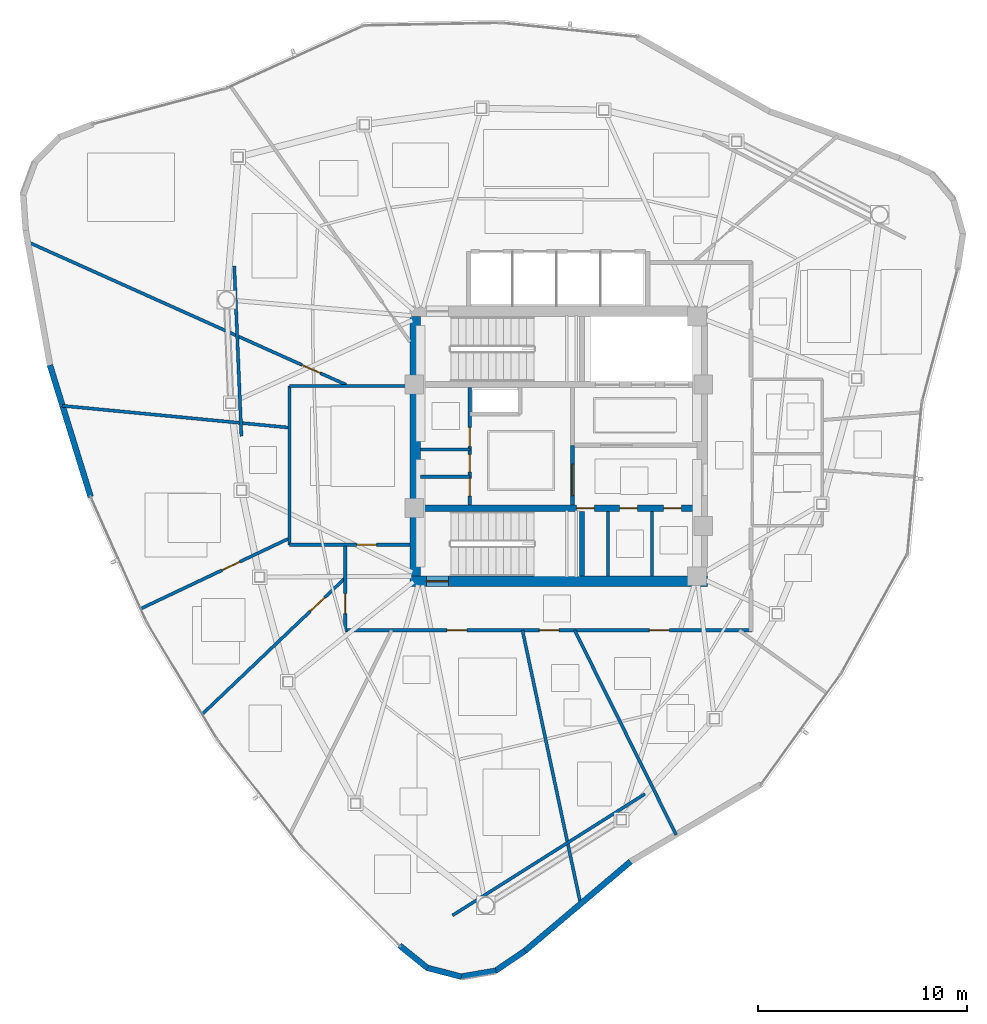
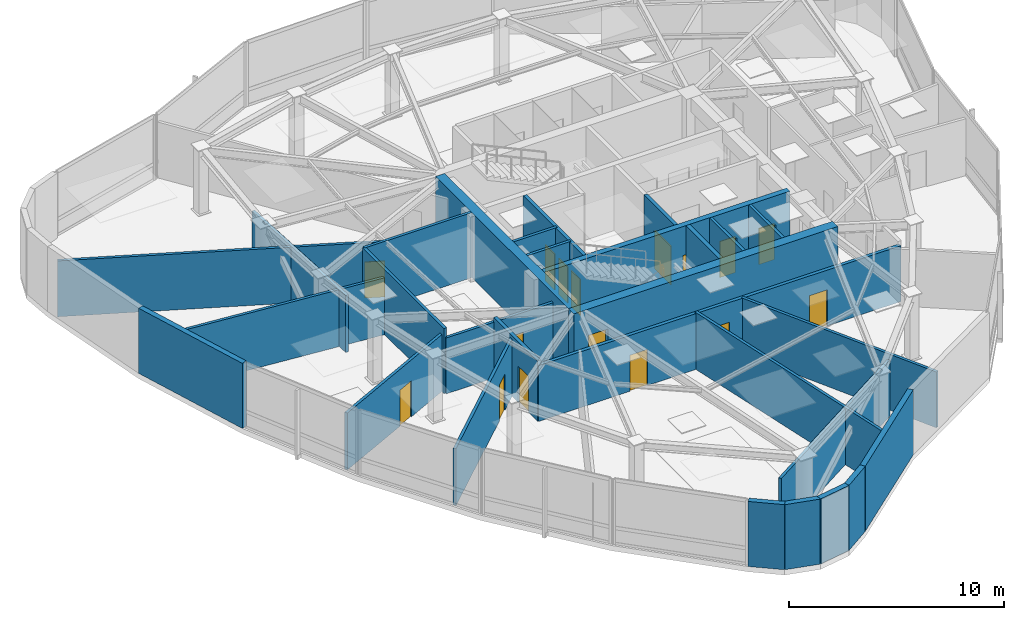
# One storey, part 8 of 12: 29 walls, 16 doors, 16 openings.
"""IFC4 building model written with IfcOpenShell, lengths in metres."""

from ifc_helpers import new_model, si_unit, direction, frame, frame_2d, origin, place, context, subcontext, project, spatial, rectangle, extrude, material, layer, layer_set, type_object, element, fill, save


model = new_model("IFC4")

# Units and contexts
model_context = context("Model", 3, precision=1e-05, world=origin(), true_north=direction((0.0, 1.0)))
body_context = subcontext(model_context, "Body", "Model", "MODEL_VIEW")
ifc_project = project(units=[si_unit("LENGTHUNIT", "METRE"), si_unit("AREAUNIT", "SQUARE_METRE"), si_unit("VOLUMEUNIT", "CUBIC_METRE"), si_unit("PLANEANGLEUNIT", "RADIAN"), si_unit("MASSUNIT", "GRAM", prefix="KILO")], contexts=[model_context])

# Site, building, storey
site_placement = place(None, origin())
site = spatial("IfcSite", under=ifc_project, at=site_placement, CompositionType="ELEMENT")
building_placement = place(site_placement, origin())
building = spatial("IfcBuilding", under=site, at=building_placement, Name="Tavelor Broadcast Tower", CompositionType="ELEMENT")
storey_placement = place(building_placement, frame((0.0, 0.0, 285.5)))
storey = spatial("IfcBuildingStorey", under=building, at=storey_placement, Name="L68", CompositionType="ELEMENT", Elevation=285.5)

# Wall, opening, door
ifc_material_1 = material(Name="Concrete C50/60", Category="concrete")
ifc_layer_1 = layer(ifc_material_1, 0.5)
ifc_layer_set_1 = layer_set([ifc_layer_1], Name="Concrete C50/60")
wall_type_1 = type_object("IfcWallType", Name="Core Shear Wall 500 mm", PredefinedType="SHEAR", material=ifc_layer_set_1)
wall_1_placement = place(storey_placement, frame((42.89990234375, 38.550048828125, 0.0), z_axis=(0.0, 0.0, 1.0), x_axis=(1.0, 0.0, 0.0)))
wall_1 = element("IfcWall", 1, at=wall_1_placement, inside=storey, type_object=wall_type_1, Name="L68 Central Core Shear Wall S", PredefinedType="SHEAR", context=body_context, shape_type="SweptSolid", body=[
    extrude(rectangle(XDim=14.2001953125, YDim=0.5, at=frame_2d((7.10009765625, 0.0))), origin(), (0.0, 0.0, 1.0), 3.699951171875),
])
opening_1_placement = place(wall_1_placement, frame((0.780029296875, 0.0, 0.0)))
opening_1 = element("IfcOpeningElement", 2, at=opening_1_placement, cuts=wall_1, Name="Opening DR11", PredefinedType="OPENING", context=body_context, shape_type="SweptSolid", body=[
    extrude(rectangle(XDim=1.050048828125, YDim=2.199951171875, at=frame_2d((0.52490234375, 1.10009765625))), frame((0.0, 0.260009765625, 0.0), z_axis=(0.0, -1.0, 0.0), x_axis=(1.0, 0.0, 0.0)), (0.0, 0.0, 1.0), 0.52001953125),
])
ifc_material_2 = material(Name="Steel S355", Category="steel")
door_type_1 = type_object("IfcDoorType", Name="Stair Core Fire Escape Door 1050x2200", OperationType="NOTDEFINED", PredefinedType="DOOR", material=ifc_material_2)
door_1_placement = place(opening_1_placement, origin())
door_1 = element("IfcDoor", 3, at=door_1_placement, inside=storey, type_object=door_type_1, Name="L68 Stair ST2 Protected Exit Door", OperationType="SINGLE_SWING_RIGHT", OverallHeight=2.199951171875, OverallWidth=1.050048828125, PredefinedType="DOOR", context=body_context, shape_type="SweptSolid", body=[
    extrude(rectangle(XDim=1.050048828125, YDim=2.199951171875, at=frame_2d((0.52490234375, 1.10009765625))), frame((0.0, 0.02490234375, 0.0), z_axis=(0.0, -1.0, 0.0), x_axis=(1.0, 0.0, 0.0)), (0.0, 0.0, 1.0), 0.050048828125),
])
fill(opening_1, door_1)

# Wall
wall_2_placement = place(storey_placement, frame((43.14990234375, 38.800048828125, 0.0), z_axis=(0.0, 0.0, 1.0), x_axis=(0.0, 1.0, 0.0)))
element("IfcWall", 4, at=wall_2_placement, inside=storey, type_object=wall_type_1, Name="L68 Central Core Shear Wall W", PredefinedType="SHEAR", context=body_context, shape_type="SweptSolid", body=[
    extrude(rectangle(XDim=12.39990234375, YDim=0.5, at=frame_2d((6.199951171875, 0.0))), origin(), (0.0, 0.0, 1.0), 3.699951171875),
])

# Wall, openings, doors
ifc_layer_2 = layer(ifc_material_1, 0.300048828125)
ifc_layer_set_2 = layer_set([ifc_layer_2], Name="Concrete C50/60")
wall_type_2 = type_object("IfcWallType", Name="Core Spine Shear Wall 300 mm C50", PredefinedType="SHEAR", material=ifc_layer_set_2)
wall_3_placement = place(storey_placement, frame((43.39990234375, 42.050048828125, 0.0), z_axis=(0.0, 0.0, 1.0), x_axis=(1.0, 0.0, 0.0)))
wall_3 = element("IfcWall", 5, at=wall_3_placement, inside=storey, type_object=wall_type_2, Name="L68 Central Core Shear Wall SP2", PredefinedType="SHEAR", context=body_context, shape_type="SweptSolid", body=[
    extrude(rectangle(XDim=13.2001953125, YDim=0.300048828125, at=frame_2d((6.60009765625, 0.0))), origin(), (0.0, 0.0, 1.0), 3.699951171875),
])
opening_2_placement = place(wall_3_placement, frame((7.449951171875, 0.0, 0.0)))
opening_2 = element("IfcOpeningElement", 6, at=opening_2_placement, cuts=wall_3, Name="Opening DR36", PredefinedType="OPENING", context=body_context, shape_type="SweptSolid", body=[
    extrude(rectangle(XDim=0.85009765625, YDim=2.050048828125, at=frame_2d((0.425048828125, 1.02490234375))), frame((0.0, 0.16015625, 0.0), z_axis=(0.0, -1.0, 0.0), x_axis=(1.0, 0.0, 0.0)), (0.0, 0.0, 1.0), 0.320068359375),
])
opening_3_placement = place(wall_3_placement, frame((9.5, 0.0, 0.0)))
opening_3 = element("IfcOpeningElement", 7, at=opening_3_placement, cuts=wall_3, Name="Opening DR36", PredefinedType="OPENING", context=body_context, shape_type="SweptSolid", body=[
    extrude(rectangle(XDim=0.85009765625, YDim=2.050048828125, at=frame_2d((0.425048828125, 1.02490234375))), frame((0.0, 0.16015625, 0.0), z_axis=(0.0, -1.0, 0.0), x_axis=(1.0, 0.0, 0.0)), (0.0, 0.0, 1.0), 0.320068359375),
])
opening_4_placement = place(wall_3_placement, frame((11.60009765625, 0.0, 0.0)))
opening_4 = element("IfcOpeningElement", 8, at=opening_4_placement, cuts=wall_3, Name="Opening DR36", PredefinedType="OPENING", context=body_context, shape_type="SweptSolid", body=[
    extrude(rectangle(XDim=0.85009765625, YDim=2.050048828125, at=frame_2d((0.425048828125, 1.02490234375))), frame((0.0, 0.16015625, 0.0), z_axis=(0.0, -1.0, 0.0), x_axis=(1.0, 0.0, 0.0)), (0.0, 0.0, 1.0), 0.320068359375),
])
door_type_2 = type_object("IfcDoorType", Name="Service Room Fire Door 850x2050", OperationType="NOTDEFINED", PredefinedType="DOOR", material=ifc_material_2)
door_2_placement = place(opening_2_placement, origin())
door_2 = element("IfcDoor", 9, at=door_2_placement, inside=storey, type_object=door_type_2, Name="L68 Reclaimed South Core Pod 1 Door", OperationType="SINGLE_SWING_LEFT", OverallHeight=2.050048828125, OverallWidth=0.85009765625, PredefinedType="DOOR", context=body_context, shape_type="SweptSolid", body=[
    extrude(rectangle(XDim=0.85009765625, YDim=2.050048828125, at=frame_2d((0.425048828125, 1.02490234375))), frame((0.0, 0.02490234375, 0.0), z_axis=(0.0, -1.0, 0.0), x_axis=(1.0, 0.0, 0.0)), (0.0, 0.0, 1.0), 0.050048828125),
])
fill(opening_2, door_2)
door_3_placement = place(opening_3_placement, origin())
door_3 = element("IfcDoor", 10, at=door_3_placement, inside=storey, type_object=door_type_2, Name="L68 Reclaimed South Core Pod 2 Door", OperationType="SINGLE_SWING_RIGHT", OverallHeight=2.050048828125, OverallWidth=0.85009765625, PredefinedType="DOOR", context=body_context, shape_type="SweptSolid", body=[
    extrude(rectangle(XDim=0.85009765625, YDim=2.050048828125, at=frame_2d((0.425048828125, 1.02490234375))), frame((0.0, 0.02490234375, 0.0), z_axis=(0.0, -1.0, 0.0), x_axis=(1.0, 0.0, 0.0)), (0.0, 0.0, 1.0), 0.050048828125),
])
fill(opening_3, door_3)
door_4_placement = place(opening_4_placement, origin())
door_4 = element("IfcDoor", 11, at=door_4_placement, inside=storey, type_object=door_type_2, Name="L68 Reclaimed South Core Pod 3 Door", OperationType="SINGLE_SWING_LEFT", OverallHeight=2.050048828125, OverallWidth=0.85009765625, PredefinedType="DOOR", context=body_context, shape_type="SweptSolid", body=[
    extrude(rectangle(XDim=0.85009765625, YDim=2.050048828125, at=frame_2d((0.425048828125, 1.02490234375))), frame((0.0, 0.02490234375, 0.0), z_axis=(0.0, -1.0, 0.0), x_axis=(1.0, 0.0, 0.0)), (0.0, 0.0, 1.0), 0.050048828125),
])
fill(opening_4, door_4)

# Wall, opening, door
ifc_material_3 = material(Name="Calcium Silicate Fire Board 180 mm", Category="gypsum")
ifc_layer_3 = layer(ifc_material_3, 0.179931640625)
ifc_layer_set_3 = layer_set([ifc_layer_3], Name="Calcium Silicate Fire Board 180 mm")
wall_type_3 = type_object("IfcWallType", Name="Fire-Rated Corridor Partition Wall 180 mm", PredefinedType="PARTITIONING", material=ifc_layer_set_3)
wall_4_placement = place(storey_placement, frame((50.64990234375, 42.199951171875, 0.0), z_axis=(0.0, 0.0, 1.0), x_axis=(0.0, 1.0, 0.0)))
wall_4 = element("IfcWall", 12, at=wall_4_placement, inside=storey, type_object=wall_type_3, Name="L68 Core Lobby Zoning Wall", PredefinedType="PARTITIONING", context=body_context, shape_type="SweptSolid", body=[
    extrude(rectangle(XDim=2.85009765625, YDim=0.179931640625, at=frame_2d((1.425048828125, 0.0))), origin(), (0.0, 0.0, 1.0), 3.699951171875),
])
opening_5_placement = place(wall_4_placement, frame((0.449951171875, 0.0, 0.0)))
opening_5 = element("IfcOpeningElement", 13, at=opening_5_placement, cuts=wall_4, Name="Opening DR14", PredefinedType="OPENING", context=body_context, shape_type="SweptSolid", body=[
    extrude(rectangle(XDim=1.5, YDim=2.199951171875, at=frame_2d((0.75, 1.10009765625))), frame((0.0, 0.10009765625, 0.0), z_axis=(0.0, -1.0, 0.0), x_axis=(1.0, 0.0, 0.0)), (0.0, 0.0, 1.0), 0.199951171875),
])
door_type_3 = type_object("IfcDoorType", Name="Firefighting Lobby Double Fire Door 1500x2200", OperationType="NOTDEFINED", PredefinedType="DOOR", material=ifc_material_2)
door_5_placement = place(opening_5_placement, origin())
door_5 = element("IfcDoor", 14, at=door_5_placement, inside=storey, type_object=door_type_3, Name="L68 Core West Lobby Double Fire Door", OperationType="SINGLE_SWING_RIGHT", OverallHeight=2.199951171875, OverallWidth=1.5, PredefinedType="DOOR", context=body_context, shape_type="SweptSolid", body=[
    extrude(rectangle(XDim=1.5, YDim=2.199951171875, at=frame_2d((0.75, 1.10009765625))), frame((0.0, 0.02490234375, 0.0), z_axis=(0.0, -1.0, 0.0), x_axis=(1.0, 0.0, 0.0)), (0.0, 0.0, 1.0), 0.050048828125),
])
fill(opening_5, door_5)

# Wall, openings, doors
wall_5_placement = place(storey_placement, frame((45.75, 42.199951171875, 0.0), z_axis=(0.0, 0.0, 1.0), x_axis=(0.0, 1.0, 0.0)))
wall_5 = element("IfcWall", 15, at=wall_5_placement, inside=storey, type_object=wall_type_3, Name="L68 Core West Service East Wall", PredefinedType="PARTITIONING", context=body_context, shape_type="SweptSolid", body=[
    extrude(rectangle(XDim=5.60009765625, YDim=0.179931640625, at=frame_2d((2.800048828125, 0.0))), origin(), (0.0, 0.0, 1.0), 3.699951171875),
])
opening_6_placement = place(wall_5_placement, frame((0.419921875, 0.0, 0.0)))
opening_6 = element("IfcOpeningElement", 16, at=opening_6_placement, cuts=wall_5, Name="Opening DR36", PredefinedType="OPENING", context=body_context, shape_type="SweptSolid", body=[
    extrude(rectangle(XDim=0.85009765625, YDim=2.050048828125, at=frame_2d((0.425048828125, 1.02490234375))), frame((0.0, 0.10009765625, 0.0), z_axis=(0.0, -1.0, 0.0), x_axis=(1.0, 0.0, 0.0)), (0.0, 0.0, 1.0), 0.199951171875),
])
opening_7_placement = place(wall_5_placement, frame((1.570068359375, 0.0, 0.0)))
opening_7 = element("IfcOpeningElement", 17, at=opening_7_placement, cuts=wall_5, Name="Opening DR36", PredefinedType="OPENING", context=body_context, shape_type="SweptSolid", body=[
    extrude(rectangle(XDim=0.85009765625, YDim=2.050048828125, at=frame_2d((0.425048828125, 1.02490234375))), frame((0.0, 0.10009765625, 0.0), z_axis=(0.0, -1.0, 0.0), x_axis=(1.0, 0.0, 0.0)), (0.0, 0.0, 1.0), 0.199951171875),
])
opening_8_placement = place(wall_5_placement, frame((2.800048828125, 0.0, 0.0)))
opening_8 = element("IfcOpeningElement", 18, at=opening_8_placement, cuts=wall_5, Name="Opening DR32", PredefinedType="OPENING", context=body_context, shape_type="SweptSolid", body=[
    extrude(rectangle(XDim=0.89990234375, YDim=2.050048828125, at=frame_2d((0.449951171875, 1.02490234375))), frame((0.0, 0.10009765625, 0.0), z_axis=(0.0, -1.0, 0.0), x_axis=(1.0, 0.0, 0.0)), (0.0, 0.0, 1.0), 0.199951171875),
])
ifc_material_4 = material(Name="Timber Solid Core Hardwood", Category="wood")
door_type_4 = type_object("IfcDoorType", Name="Accessible Washroom Door 900x2050", OperationType="NOTDEFINED", PredefinedType="DOOR", material=ifc_material_4)
door_6_placement = place(opening_8_placement, origin())
door_6 = element("IfcDoor", 19, at=door_6_placement, inside=storey, type_object=door_type_4, Name="L68 Core Accessible WC Door", OperationType="SINGLE_SWING_LEFT", OverallHeight=2.050048828125, OverallWidth=0.89990234375, PredefinedType="DOOR", context=body_context, shape_type="SweptSolid", body=[
    extrude(rectangle(XDim=0.89990234375, YDim=2.050048828125, at=frame_2d((0.449951171875, 1.02490234375))), frame((0.0, 0.02490234375, 0.0), z_axis=(0.0, -1.0, 0.0), x_axis=(1.0, 0.0, 0.0)), (0.0, 0.0, 1.0), 0.050048828125),
])
fill(opening_8, door_6)
door_7_placement = place(opening_6_placement, origin())
door_7 = element("IfcDoor", 20, at=door_7_placement, inside=storey, type_object=door_type_2, Name="L68 Core Medical Room Door", OperationType="SINGLE_SWING_LEFT", OverallHeight=2.050048828125, OverallWidth=0.85009765625, PredefinedType="DOOR", context=body_context, shape_type="SweptSolid", body=[
    extrude(rectangle(XDim=0.85009765625, YDim=2.050048828125, at=frame_2d((0.425048828125, 1.02490234375))), frame((0.0, 0.02490234375, 0.0), z_axis=(0.0, -1.0, 0.0), x_axis=(1.0, 0.0, 0.0)), (0.0, 0.0, 1.0), 0.050048828125),
])
fill(opening_6, door_7)
door_8_placement = place(opening_7_placement, origin())
door_8 = element("IfcDoor", 21, at=door_8_placement, inside=storey, type_object=door_type_2, Name="L68 Core Copy Room Door", OperationType="SINGLE_SWING_RIGHT", OverallHeight=2.050048828125, OverallWidth=0.85009765625, PredefinedType="DOOR", context=body_context, shape_type="SweptSolid", body=[
    extrude(rectangle(XDim=0.85009765625, YDim=2.050048828125, at=frame_2d((0.425048828125, 1.02490234375))), frame((0.0, 0.02490234375, 0.0), z_axis=(0.0, -1.0, 0.0), x_axis=(1.0, 0.0, 0.0)), (0.0, 0.0, 1.0), 0.050048828125),
])
fill(opening_7, door_8)

wall_6_placement = place(storey_placement, frame((59.22998046875, 36.219970703125, 0.0), z_axis=(0.0, 0.0, 1.0), x_axis=(-1.0, 0.0, 0.0)))
wall_6 = element("IfcWall", 22, at=wall_6_placement, inside=storey, type_object=wall_type_3, Name="L68 Corridor Compartment Wall 04", PredefinedType="PARTITIONING", context=body_context, shape_type="SweptSolid", body=[
    extrude(rectangle(XDim=19.47998046875, YDim=0.179931640625, at=frame_2d((9.739990234375, 0.0))), origin(), (0.0, 0.0, 1.0), 3.175048828125),
])
opening_9_placement = place(wall_6_placement, frame((3.954833984375, 0.0, 0.0)))
opening_9 = element("IfcOpeningElement", 23, at=opening_9_placement, cuts=wall_6, Name="Opening DR18", PredefinedType="OPENING", context=body_context, shape_type="SweptSolid", body=[
    extrude(rectangle(XDim=0.949951171875, YDim=2.050048828125, at=frame_2d((0.47509765625, 1.02490234375))), frame((0.0, 0.10009765625, 0.0), z_axis=(0.0, -1.0, 0.0), x_axis=(1.0, 0.0, 0.0)), (0.0, 0.0, 1.0), 0.199951171875),
])
opening_10_placement = place(wall_6_placement, frame((9.210205078125, 0.0, 0.0)))
opening_10 = element("IfcOpeningElement", 24, at=opening_10_placement, cuts=wall_6, Name="Opening DR18", PredefinedType="OPENING", context=body_context, shape_type="SweptSolid", body=[
    extrude(rectangle(XDim=0.949951171875, YDim=2.050048828125, at=frame_2d((0.47509765625, 1.02490234375))), frame((0.0, 0.10009765625, 0.0), z_axis=(0.0, -1.0, 0.0), x_axis=(1.0, 0.0, 0.0)), (0.0, 0.0, 1.0), 0.199951171875),
])
opening_11_placement = place(wall_6_placement, frame((13.622314453125, 0.0, 0.0)))
opening_11 = element("IfcOpeningElement", 25, at=opening_11_placement, cuts=wall_6, Name="Opening DR18", PredefinedType="OPENING", context=body_context, shape_type="SweptSolid", body=[
    extrude(rectangle(XDim=0.949951171875, YDim=2.050048828125, at=frame_2d((0.47509765625, 1.02490234375))), frame((0.0, 0.10009765625, 0.0), z_axis=(0.0, -1.0, 0.0), x_axis=(1.0, 0.0, 0.0)), (0.0, 0.0, 1.0), 0.199951171875),
])
door_type_5 = type_object("IfcDoorType", Name="Corridor Rated Compartment Door 950x2050", OperationType="NOTDEFINED", PredefinedType="DOOR", material=ifc_material_4)
door_9_placement = place(opening_9_placement, origin())
door_9 = element("IfcDoor", 26, at=door_9_placement, inside=storey, type_object=door_type_5, Name="L68 Investigative News Desk Door R1", OperationType="SINGLE_SWING_RIGHT", OverallHeight=2.050048828125, OverallWidth=0.949951171875, PredefinedType="DOOR", context=body_context, shape_type="SweptSolid", body=[
    extrude(rectangle(XDim=0.949951171875, YDim=2.050048828125, at=frame_2d((0.47509765625, 1.02490234375))), frame((0.0, 0.02490234375, 0.0), z_axis=(0.0, -1.0, 0.0), x_axis=(1.0, 0.0, 0.0)), (0.0, 0.0, 1.0), 0.050048828125),
])
fill(opening_9, door_9)
door_10_placement = place(opening_10_placement, origin())
door_10 = element("IfcDoor", 27, at=door_10_placement, inside=storey, type_object=door_type_5, Name="L68 Syndication Legal Office Door R2", OperationType="SINGLE_SWING_LEFT", OverallHeight=2.050048828125, OverallWidth=0.949951171875, PredefinedType="DOOR", context=body_context, shape_type="SweptSolid", body=[
    extrude(rectangle(XDim=0.949951171875, YDim=2.050048828125, at=frame_2d((0.47509765625, 1.02490234375))), frame((0.0, 0.02490234375, 0.0), z_axis=(0.0, -1.0, 0.0), x_axis=(1.0, 0.0, 0.0)), (0.0, 0.0, 1.0), 0.050048828125),
])
fill(opening_10, door_10)
door_11_placement = place(opening_11_placement, origin())
door_11 = element("IfcDoor", 28, at=door_11_placement, inside=storey, type_object=door_type_5, Name="L68 International Bureau Office Door R3", OperationType="SINGLE_SWING_RIGHT", OverallHeight=2.050048828125, OverallWidth=0.949951171875, PredefinedType="DOOR", context=body_context, shape_type="SweptSolid", body=[
    extrude(rectangle(XDim=0.949951171875, YDim=2.050048828125, at=frame_2d((0.47509765625, 1.02490234375))), frame((0.0, 0.02490234375, 0.0), z_axis=(0.0, -1.0, 0.0), x_axis=(1.0, 0.0, 0.0)), (0.0, 0.0, 1.0), 0.050048828125),
])
fill(opening_11, door_11)

# Wall, opening, door
wall_7_placement = place(storey_placement, frame((39.800048828125, 36.169921875, 0.0), z_axis=(0.0, 0.0, 1.0), x_axis=(0.0, 1.0, 0.0)))
wall_7 = element("IfcWall", 29, at=wall_7_placement, inside=storey, type_object=wall_type_3, Name="L68 Corridor Compartment Wall 05", PredefinedType="PARTITIONING", context=body_context, shape_type="SweptSolid", body=[
    extrude(rectangle(XDim=4.080078125, YDim=0.179931640625, at=frame_2d((2.0400390625, 0.0))), origin(), (0.0, 0.0, 1.0), 3.43505859375),
])
opening_12_placement = place(wall_7_placement, frame((0.845458984375, 0.0, 0.0)))
opening_12 = element("IfcOpeningElement", 30, at=opening_12_placement, cuts=wall_7, Name="Opening DR18", PredefinedType="OPENING", context=body_context, shape_type="SweptSolid", body=[
    extrude(rectangle(XDim=0.949951171875, YDim=2.050048828125, at=frame_2d((0.47509765625, 1.02490234375))), frame((0.0, 0.10009765625, 0.0), z_axis=(0.0, -1.0, 0.0), x_axis=(1.0, 0.0, 0.0)), (0.0, 0.0, 1.0), 0.199951171875),
])
door_12_placement = place(opening_12_placement, origin())
door_12 = element("IfcDoor", 31, at=door_12_placement, inside=storey, type_object=door_type_5, Name="L68 Documentary Planning Office Door R4", OperationType="SINGLE_SWING_LEFT", OverallHeight=2.050048828125, OverallWidth=0.949951171875, PredefinedType="DOOR", context=body_context, shape_type="SweptSolid", body=[
    extrude(rectangle(XDim=0.949951171875, YDim=2.050048828125, at=frame_2d((0.47509765625, 1.02490234375))), frame((0.0, 0.02490234375, 0.0), z_axis=(0.0, -1.0, 0.0), x_axis=(1.0, 0.0, 0.0)), (0.0, 0.0, 1.0), 0.050048828125),
])
fill(opening_12, door_12)

# Walls
ifc_material_5 = material(Name="Precast Concrete C40/50", Category="concrete")
ifc_layer_4 = layer(ifc_material_5, 0.280029296875)
ifc_layer_set_4 = layer_set([ifc_layer_4], Name="Precast Concrete C40/50")
wall_type_4 = type_object("IfcWallType", Name="Insulated Precast Terracotta Facade Wall 280 mm", PredefinedType="STANDARD", material=ifc_layer_set_4)
wall_8_placement = place(storey_placement, frame((25.7060546875, 48.878173828125, 0.0), z_axis=(0.0, 0.0, 1.0), x_axis=(0.295281654046, -0.955410249466, 0.0)))
element("IfcWall", 32, at=wall_8_placement, inside=storey, type_object=wall_type_4, Name="L68 Rounded Corner Structural Cladding Pier 06", PredefinedType="STANDARD", context=body_context, shape_type="SweptSolid", body=[
    extrude(rectangle(XDim=6.583740234375, YDim=0.280029296875, at=frame_2d((3.2919921875, 0.0))), origin(), (0.0, 0.0, 1.0), 3.699951171875),
])
wall_9_placement = place(storey_placement, frame((42.40283203125, 21.163330078125, 0.0), z_axis=(0.0, 0.0, 1.0), x_axis=(0.778817818062, -0.627250194316, 0.0)))
element("IfcWall", 33, at=wall_9_placement, inside=storey, type_object=wall_type_4, Name="L68 Rounded Corner Structural Cladding Pier 11", PredefinedType="STANDARD", context=body_context, shape_type="SweptSolid", body=[
    extrude(rectangle(XDim=1.710693359375, YDim=0.280029296875, at=frame_2d((0.85546875, 0.0))), origin(), (0.0, 0.0, 1.0), 3.699951171875),
])
wall_10_placement = place(storey_placement, frame((43.708740234375, 20.103515625, 0.0), z_axis=(0.0, 0.0, 1.0), x_axis=(0.967939985715, -0.251181575865, 0.0)))
element("IfcWall", 34, at=wall_10_placement, inside=storey, type_object=wall_type_4, Name="L68 Rounded Corner Structural Cladding Pier 12", PredefinedType="STANDARD", context=body_context, shape_type="SweptSolid", body=[
    extrude(rectangle(XDim=1.698974609375, YDim=0.280029296875, at=frame_2d((0.849609375, 0.0))), origin(), (0.0, 0.0, 1.0), 3.699951171875),
])
wall_11_placement = place(storey_placement, frame((45.323974609375, 19.677978515625, 0.0), z_axis=(0.0, 0.0, 1.0), x_axis=(0.985546267007, 0.169406480362, 0.0)))
element("IfcWall", 35, at=wall_11_placement, inside=storey, type_object=wall_type_4, Name="L68 Rounded Corner Structural Cladding Pier 13", PredefinedType="STANDARD", context=body_context, shape_type="SweptSolid", body=[
    extrude(rectangle(XDim=1.69921875, YDim=0.280029296875, at=frame_2d((0.849609375, 0.0))), origin(), (0.0, 0.0, 1.0), 3.699951171875),
])
wall_12_placement = place(storey_placement, frame((46.97119140625, 19.954833984375, 0.0), z_axis=(0.0, 0.0, 1.0), x_axis=(0.828587190747, 0.559860042627, 0.0)))
element("IfcWall", 36, at=wall_12_placement, inside=storey, type_object=wall_type_4, Name="L68 Rounded Corner Structural Cladding Pier 14", PredefinedType="STANDARD", context=body_context, shape_type="SweptSolid", body=[
    extrude(rectangle(XDim=1.7216796875, YDim=0.280029296875, at=frame_2d((0.86083984375, 0.0))), origin(), (0.0, 0.0, 1.0), 3.699951171875),
])
wall_13_placement = place(storey_placement, frame((48.373779296875, 20.900634765625, 0.0), z_axis=(0.0, 0.0, 1.0), x_axis=(0.763527637765, 0.645775151558, 0.0)))
element("IfcWall", 37, at=wall_13_placement, inside=storey, type_object=wall_type_4, Name="L68 Rounded Corner Structural Cladding Pier 15", PredefinedType="STANDARD", context=body_context, shape_type="SweptSolid", body=[
    extrude(rectangle(XDim=6.615966796875, YDim=0.280029296875, at=frame_2d((3.30810546875, 0.0))), origin(), (0.0, 0.0, 1.0), 3.699951171875),
])
ifc_material_6 = material(Name="Gypsum Acoustic Plasterboard 150 mm", Category="gypsum")
ifc_layer_5 = layer(ifc_material_6, 0.14990234375)
ifc_layer_set_5 = layer_set([ifc_layer_5], Name="Gypsum Acoustic Plasterboard 150 mm")
wall_type_5 = type_object("IfcWallType", Name="Interior Acoustic Partition Wall 150 mm", PredefinedType="PARTITIONING", material=ifc_layer_set_5)
for number, where, z_axis, x_axis, name in (
    (38, (52.35009765625, 38.800048828125, 0.0), (0.0, 0.0, 1.0), (0.0, 1.0, 0.0), "L68 Reclaimed South Core Divider 1"),
    (39, (54.449951171875, 38.800048828125, 0.0), (0.0, 0.0, 1.0), (0.0, 1.0, 0.0), "L68 Reclaimed South Core Divider 2"),
):
    element("IfcWall", number, at=place(storey_placement, frame(where, z_axis=z_axis, x_axis=x_axis)), inside=storey, type_object=wall_type_5, Name=name, PredefinedType="PARTITIONING", context=body_context, shape_type="SweptSolid", body=[
        extrude(rectangle(XDim=3.099853515625, YDim=0.14990234375, at=frame_2d((1.5498046875, 0.0))), origin(), (0.0, 0.0, 1.0), 3.699951171875),
    ])
for number, where, z_axis, x_axis, name in (
    (40, (43.39990234375, 43.550048828125, 0.0), (0.0, 0.0, 1.0), (1.0, 0.0, 0.0), "L68 Core Split Wall B1"),
    (41, (43.39990234375, 44.85009765625, 0.0), (0.0, 0.0, 1.0), (1.0, 0.0, 0.0), "L68 Core Split Wall B2"),
):
    element("IfcWall", number, at=place(storey_placement, frame(where, z_axis=z_axis, x_axis=x_axis)), inside=storey, type_object=wall_type_5, Name=name, PredefinedType="PARTITIONING", context=body_context, shape_type="SweptSolid", body=[
        extrude(rectangle(XDim=2.35009765625, YDim=0.14990234375, at=frame_2d((1.175048828125, 0.0))), origin(), (0.0, 0.0, 1.0), 3.699951171875),
    ])
wall_14_placement = place(storey_placement, frame((34.50732421875, 53.61279296875, 0.0), z_axis=(0.0, 0.0, 1.0), x_axis=(0.041875090182, -0.999122853718, 0.0)))
element("IfcWall", 42, at=wall_14_placement, inside=storey, type_object=wall_type_5, Name="L68 Corner Tube Brace Furring Wall 1", PredefinedType="PARTITIONING", context=body_context, shape_type="SweptSolid", body=[
    extrude(rectangle(XDim=8.138916015625, YDim=0.14990234375, at=frame_2d((4.0693359375, 0.0))), origin(), (0.0, 0.0, 1.0), 3.235107421875),
])
wall_15_placement = place(storey_placement, frame((44.9267578125, 22.60546875, 0.0), z_axis=(0.0, 0.0, 1.0), x_axis=(0.845624548895, 0.533778158326, 0.0)))
element("IfcWall", 43, at=wall_15_placement, inside=storey, type_object=wall_type_5, Name="L68 Corner Tube Brace Furring Wall 2", PredefinedType="PARTITIONING", context=body_context, shape_type="SweptSolid", body=[
    extrude(rectangle(XDim=10.861083984375, YDim=0.14990234375, at=frame_2d((5.4306640625, 0.0))), origin(), (0.0, 0.0, 1.0), 3.175048828125),
])

# Wall, opening, door
wall_16_placement = place(storey_placement, frame((37.139892578125, 40.300048828125, 0.0), z_axis=(0.0, 0.0, 1.0), x_axis=(1.0, 0.0, 0.0)))
wall_16 = element("IfcWall", 44, at=wall_16_placement, inside=storey, type_object=wall_type_5, Name="L68 Reclaimed Shaft Pantry South Wall", PredefinedType="PARTITIONING", context=body_context, shape_type="SweptSolid", body=[
    extrude(rectangle(XDim=5.760009765625, YDim=0.14990234375, at=frame_2d((2.8798828125, 0.0))), origin(), (0.0, 0.0, 1.0), 3.175048828125),
])
opening_13_placement = place(wall_16_placement, frame((3.2099609375, 0.0, 0.0)))
opening_13 = element("IfcOpeningElement", 45, at=opening_13_placement, cuts=wall_16, Name="Opening DR18", PredefinedType="OPENING", context=body_context, shape_type="SweptSolid", body=[
    extrude(rectangle(XDim=0.949951171875, YDim=2.050048828125, at=frame_2d((0.47509765625, 1.02490234375))), frame((0.0, 0.0849609375, 0.0), z_axis=(0.0, -1.0, 0.0), x_axis=(1.0, 0.0, 0.0)), (0.0, 0.0, 1.0), 0.169921875),
])
door_13_placement = place(opening_13_placement, origin())
door_13 = element("IfcDoor", 46, at=door_13_placement, inside=storey, type_object=door_type_5, Name="L68 Broadcast IT Patch and Pantry Door", OperationType="SINGLE_SWING_LEFT", OverallHeight=2.050048828125, OverallWidth=0.949951171875, PredefinedType="DOOR", context=body_context, shape_type="SweptSolid", body=[
    extrude(rectangle(XDim=0.949951171875, YDim=2.050048828125, at=frame_2d((0.47509765625, 1.02490234375))), frame((0.0, 0.02490234375, 0.0), z_axis=(0.0, -1.0, 0.0), x_axis=(1.0, 0.0, 0.0)), (0.0, 0.0, 1.0), 0.050048828125),
])
fill(opening_13, door_13)

# Walls
wall_17_placement = place(storey_placement, frame((37.139892578125, 40.300048828125, 0.0), z_axis=(0.0, 0.0, 1.0), x_axis=(0.0, 1.0, 0.0)))
element("IfcWall", 47, at=wall_17_placement, inside=storey, type_object=wall_type_5, Name="L68 Reclaimed Shaft Pantry West Wall", PredefinedType="PARTITIONING", context=body_context, shape_type="SweptSolid", body=[
    extrude(rectangle(XDim=7.579833984375, YDim=0.14990234375, at=frame_2d((3.7900390625, 0.0))), origin(), (0.0, 0.0, 1.0), 3.699951171875),
])
wall_18_placement = place(storey_placement, frame((37.139892578125, 47.8798828125, 0.0), z_axis=(0.0, 0.0, 1.0), x_axis=(1.0, 0.0, 0.0)))
element("IfcWall", 48, at=wall_18_placement, inside=storey, type_object=wall_type_5, Name="L68 Reclaimed Shaft Pantry North Wall", PredefinedType="PARTITIONING", context=body_context, shape_type="SweptSolid", body=[
    extrude(rectangle(XDim=5.760009765625, YDim=0.14990234375, at=frame_2d((2.8798828125, 0.0))), origin(), (0.0, 0.0, 1.0), 3.699951171875),
])
wall_19_placement = place(storey_placement, frame((37.080078125, 45.8974609375, 0.0), z_axis=(0.0, 0.0, 1.0), x_axis=(-0.995396799969, 0.095839504443, 0.0)))
element("IfcWall", 49, at=wall_19_placement, inside=storey, type_object=wall_type_5, Name="L68 Radial Compartment Wall 01", PredefinedType="PARTITIONING", context=body_context, shape_type="SweptSolid", body=[
    extrude(rectangle(XDim=10.833984375, YDim=0.14990234375, at=frame_2d((5.4169921875, 0.0))), origin(), (0.0, 0.0, 1.0), 3.235107421875),
])

# Wall, opening, door
wall_20_placement = place(storey_placement, frame((37.080078125, 40.58251953125, 0.0), z_axis=(0.0, 0.0, 1.0), x_axis=(-0.903622418397, -0.428329925372, 0.0)))
wall_20 = element("IfcWall", 50, at=wall_20_placement, inside=storey, type_object=wall_type_5, Name="L68 Radial Compartment Wall 02", PredefinedType="PARTITIONING", context=body_context, shape_type="SweptSolid", body=[
    extrude(rectangle(XDim=7.7978515625, YDim=0.14990234375, at=frame_2d((3.89892578125, 0.0))), origin(), (0.0, 0.0, 1.0), 3.235107421875),
])
opening_14_placement = place(wall_20_placement, frame((2.550048828125, 0.0, 0.0)))
opening_14 = element("IfcOpeningElement", 51, at=opening_14_placement, cuts=wall_20, Name="Opening DR18", PredefinedType="OPENING", context=body_context, shape_type="SweptSolid", body=[
    extrude(rectangle(XDim=0.949951171875, YDim=2.050048828125, at=frame_2d((0.47509765625, 1.02490234375))), frame((0.0, 0.0849609375, 0.0), z_axis=(0.0, -1.0, 0.0), x_axis=(1.0, 0.0, 0.0)), (0.0, 0.0, 1.0), 0.169921875),
])
door_14_placement = place(opening_14_placement, origin())
door_14 = element("IfcDoor", 52, at=door_14_placement, inside=storey, type_object=door_type_5, Name="L68 Suite Connecting Door 6", OperationType="SINGLE_SWING_RIGHT", OverallHeight=2.050048828125, OverallWidth=0.949951171875, PredefinedType="DOOR", context=body_context, shape_type="SweptSolid", body=[
    extrude(rectangle(XDim=0.949951171875, YDim=2.050048828125, at=frame_2d((0.47509765625, 1.02490234375))), frame((0.0, 0.02490234375, 0.0), z_axis=(0.0, -1.0, 0.0), x_axis=(1.0, 0.0, 0.0)), (0.0, 0.0, 1.0), 0.050048828125),
])
fill(opening_14, door_14)

wall_21_placement = place(storey_placement, frame((39.800048828125, 38.711669921875, 0.0), z_axis=(0.0, 0.0, 1.0), x_axis=(-0.723993287643, -0.68980701609, 0.0)))
wall_21 = element("IfcWall", 53, at=wall_21_placement, inside=storey, type_object=wall_type_5, Name="L68 Radial Compartment Wall 03", PredefinedType="PARTITIONING", context=body_context, shape_type="SweptSolid", body=[
    extrude(rectangle(XDim=9.433837890625, YDim=0.14990234375, at=frame_2d((4.716796875, 0.0))), origin(), (0.0, 0.0, 1.0), 3.235107421875),
])
opening_15_placement = place(wall_21_placement, frame((1.35009765625, 0.0, 0.0)))
opening_15 = element("IfcOpeningElement", 54, at=opening_15_placement, cuts=wall_21, Name="Opening DR18", PredefinedType="OPENING", context=body_context, shape_type="SweptSolid", body=[
    extrude(rectangle(XDim=0.949951171875, YDim=2.050048828125, at=frame_2d((0.47509765625, 1.02490234375))), frame((0.0, 0.0849609375, 0.0), z_axis=(0.0, -1.0, 0.0), x_axis=(1.0, 0.0, 0.0)), (0.0, 0.0, 1.0), 0.169921875),
])
door_15_placement = place(opening_15_placement, origin())
door_15 = element("IfcDoor", 55, at=door_15_placement, inside=storey, type_object=door_type_5, Name="L68 Suite Connecting Door 5", OperationType="SINGLE_SWING_LEFT", OverallHeight=2.050048828125, OverallWidth=0.949951171875, PredefinedType="DOOR", context=body_context, shape_type="SweptSolid", body=[
    extrude(rectangle(XDim=0.949951171875, YDim=2.050048828125, at=frame_2d((0.47509765625, 1.02490234375))), frame((0.0, 0.02490234375, 0.0), z_axis=(0.0, -1.0, 0.0), x_axis=(1.0, 0.0, 0.0)), (0.0, 0.0, 1.0), 0.050048828125),
])
fill(opening_15, door_15)

# Walls
wall_22_placement = place(storey_placement, frame((48.26513671875, 36.219970703125, 0.0), z_axis=(0.0, 0.0, 1.0), x_axis=(0.207798682816, -0.978171614503, 0.0)))
element("IfcWall", 56, at=wall_22_placement, inside=storey, type_object=wall_type_5, Name="L68 Radial Compartment Wall 05", PredefinedType="PARTITIONING", context=body_context, shape_type="SweptSolid", body=[
    extrude(rectangle(XDim=13.36669921875, YDim=0.14990234375, at=frame_2d((6.683349609375, 0.0))), origin(), (0.0, 0.0, 1.0), 3.235107421875),
])
wall_23_placement = place(storey_placement, frame((50.756591796875, 36.219970703125, 0.0), z_axis=(0.0, 0.0, 1.0), x_axis=(0.444489566035, -0.895784028483, 0.0)))
element("IfcWall", 57, at=wall_23_placement, inside=storey, type_object=wall_type_5, Name="L68 Radial Compartment Wall 06", PredefinedType="PARTITIONING", context=body_context, shape_type="SweptSolid", body=[
    extrude(rectangle(XDim=10.90673828125, YDim=0.14990234375, at=frame_2d((5.453369140625, 0.0))), origin(), (0.0, 0.0, 1.0), 3.175048828125),
])

# Wall, opening, door
wall_24_placement = place(storey_placement, frame((39.84619140625, 47.93994140625, 0.0), z_axis=(0.0, 0.0, 1.0), x_axis=(-0.912400712577, 0.409298106139, 0.0)))
wall_24 = element("IfcWall", 58, at=wall_24_placement, inside=storey, type_object=wall_type_5, Name="L68 Radial Compartment Wall 12", PredefinedType="PARTITIONING", context=body_context, shape_type="SweptSolid", body=[
    extrude(rectangle(XDim=16.669921875, YDim=0.14990234375, at=frame_2d((8.3349609375, 0.0))), origin(), (0.0, 0.0, 1.0), 3.175048828125),
])
opening_16_placement = place(wall_24_placement, frame((1.35009765625, 0.0, 0.0)))
opening_16 = element("IfcOpeningElement", 59, at=opening_16_placement, cuts=wall_24, Name="Opening DR18", PredefinedType="OPENING", context=body_context, shape_type="SweptSolid", body=[
    extrude(rectangle(XDim=0.949951171875, YDim=2.050048828125, at=frame_2d((0.47509765625, 1.02490234375))), frame((0.0, 0.0849609375, 0.0), z_axis=(0.0, -1.0, 0.0), x_axis=(1.0, 0.0, 0.0)), (0.0, 0.0, 1.0), 0.169921875),
])
door_16_placement = place(opening_16_placement, origin())
door_16 = element("IfcDoor", 60, at=door_16_placement, inside=storey, type_object=door_type_5, Name="L68 Suite Connecting Door 7", OperationType="SINGLE_SWING_LEFT", OverallHeight=2.050048828125, OverallWidth=0.949951171875, PredefinedType="DOOR", context=body_context, shape_type="SweptSolid", body=[
    extrude(rectangle(XDim=0.949951171875, YDim=2.050048828125, at=frame_2d((0.47509765625, 1.02490234375))), frame((0.0, 0.02490234375, 0.0), z_axis=(0.0, -1.0, 0.0), x_axis=(1.0, 0.0, 0.0)), (0.0, 0.0, 1.0), 0.050048828125),
])
fill(opening_16, door_16)

# Wall
ifc_material_7 = material(Name="Concrete C40/50", Category="concrete")
ifc_layer_6 = layer(ifc_material_7, 0.219970703125)
ifc_layer_set_6 = layer_set([ifc_layer_6], Name="Concrete C40/50")
wall_type_6 = type_object("IfcWallType", Name="Structural Stairwell Shear Wall 220 mm", PredefinedType="SHEAR", material=ifc_layer_set_6)
wall_25_placement = place(storey_placement, frame((51.110107421875, 38.800048828125, 0.0), z_axis=(0.0, 0.0, 1.0), x_axis=(0.0, 1.0, 0.0)))
element("IfcWall", 61, at=wall_25_placement, inside=storey, type_object=wall_type_6, Name="L68 Stair ST2 Structural Shaft Wall", PredefinedType="SHEAR", context=body_context, shape_type="SweptSolid", body=[
    extrude(rectangle(XDim=3.099853515625, YDim=0.219970703125, at=frame_2d((1.5498046875, 0.0))), origin(), (0.0, 0.0, 1.0), 3.699951171875),
])

save(model, "model.ifc")
